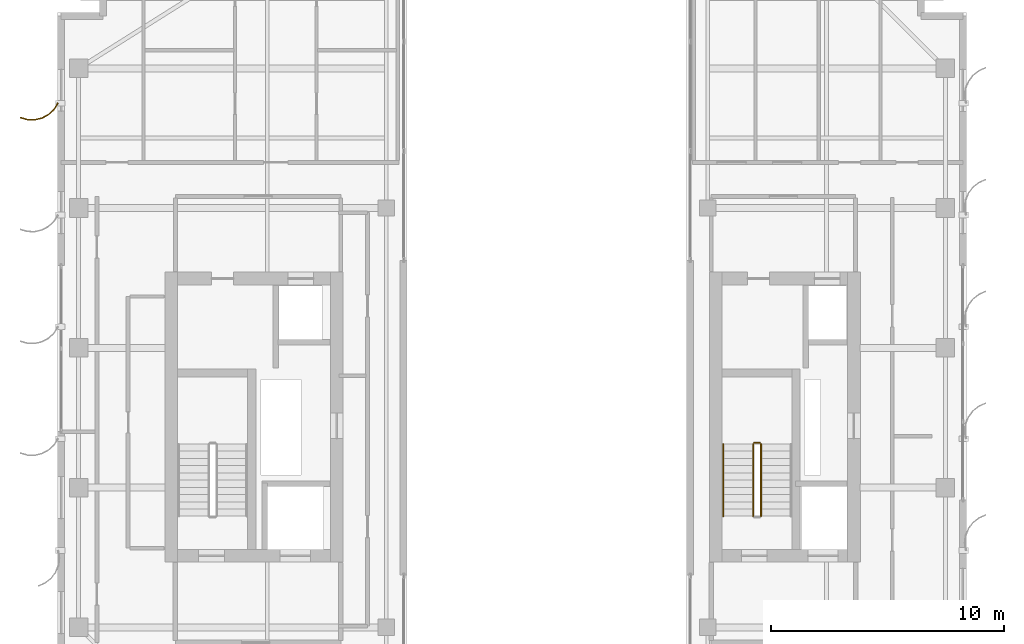
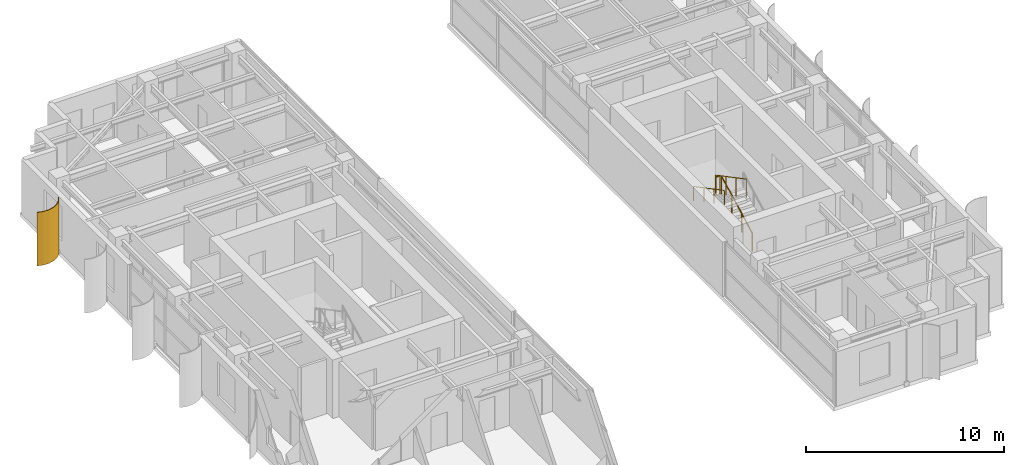
# One storey, part 22 of 23: 4 railings, 1 shading device.
"""IFC4 building model written with IfcOpenShell, lengths in metres."""

from ifc_helpers import new_model, si_unit, direction, frame, origin, origin_2d, place, context, subcontext, project, spatial, polyline, circle, outline, extrude, source, transform, mapped, material, layer, layer_set, type_object, element, save


model = new_model("IFC4")

# Units and contexts
model_context = context("Model", 3, precision=1e-05, world=origin(), true_north=direction((0.0, 1.0)))
body_context = subcontext(model_context, "Body", "Model", "MODEL_VIEW")
ifc_project = project(units=[si_unit("LENGTHUNIT", "METRE"), si_unit("AREAUNIT", "SQUARE_METRE"), si_unit("VOLUMEUNIT", "CUBIC_METRE"), si_unit("PLANEANGLEUNIT", "RADIAN"), si_unit("MASSUNIT", "GRAM", prefix="KILO")], contexts=[model_context])

# Site, building, storey
site_placement = place(None, origin())
site = spatial("IfcSite", under=ifc_project, at=site_placement, CompositionType="ELEMENT")
building_placement = place(site_placement, origin())
building = spatial("IfcBuilding", under=site, at=building_placement, Name="Khoralis Quay Care Tower", CompositionType="ELEMENT")
storey_placement = place(building_placement, frame((0.0, 0.0, 245.699951171875)))
storey = spatial("IfcBuildingStorey", under=building, at=storey_placement, Name="L64", CompositionType="ELEMENT", Elevation=245.699951171875)

# Railings
ifc_material_1 = material(Name="Brushed stainless steel", Category="steel")
railing_type_1 = type_object("IfcRailingType", Name="RL-GUARD-1150", PredefinedType="GUARDRAIL", material=ifc_material_1)
railing_1_placement = place(storey_placement, frame((33.18994140625, 16.77001953125, 0.16357421875)))
element("IfcRailing", 1, at=railing_1_placement, inside=storey, type_object=railing_type_1, Name="L64 ST-T2 stair guard 1", PredefinedType="GUARDRAIL", context=body_context, shape_type="SweptSolid", body=[
    extrude(circle(Radius=0.02392578125, at=origin_2d()), frame((0.0, 0.0, 1.1259765625), z_axis=(0.0, 0.884348015382, 0.466828220752), x_axis=(-1.0, 0.0, 0.0)), (0.0, 0.0, 1.0), 3.505615234375),
    extrude(circle(Radius=0.02099609375, at=origin_2d()), origin(), (0.0, 0.0, 1.0), 1.101806640625),
    extrude(circle(Radius=0.02099609375, at=origin_2d()), frame((0.0, 1.033447265625, 0.54541015625)), (0.0, 0.0, 1.0), 1.101806640625),
    extrude(circle(Radius=0.02099609375, at=origin_2d()), frame((0.0, 2.066650390625, 1.091064453125)), (0.0, 0.0, 1.0), 1.101806640625),
    extrude(circle(Radius=0.02099609375, at=origin_2d()), frame((0.0, 3.10009765625, 1.636474609375)), (0.0, 0.0, 1.0), 1.101806640625),
])
railing_2_placement = place(storey_placement, frame((33.139892578125, 19.919921875, 1.800048828125)))
element("IfcRailing", 2, at=railing_2_placement, inside=storey, type_object=railing_type_1, Name="L64 ST-T2 stair guard 2", PredefinedType="GUARDRAIL", context=body_context, shape_type="SweptSolid", body=[
    extrude(circle(Radius=0.02392578125, at=origin_2d()), frame((0.0, 0.0, 1.1259765625), z_axis=(-1.0, 0.0, 0.0), x_axis=(0.0, -1.0, 0.0)), (0.0, 0.0, 1.0), 0.239990234375),
    extrude(circle(Radius=0.02099609375, at=origin_2d()), origin(), (0.0, 0.0, 1.0), 1.101806640625),
    extrude(circle(Radius=0.02099609375, at=origin_2d()), frame((-0.239990234375, 0.0, 0.0)), (0.0, 0.0, 1.0), 1.101806640625),
])
railing_3_placement = place(storey_placement, frame((32.85009765625, 19.8701171875, 1.963623046875)))
element("IfcRailing", 3, at=railing_3_placement, inside=storey, type_object=railing_type_1, Name="L64 ST-T2 stair guard 3", PredefinedType="GUARDRAIL", context=body_context, shape_type="SweptSolid", body=[
    extrude(circle(Radius=0.02392578125, at=origin_2d()), frame((0.0, 0.0, 1.1259765625), z_axis=(0.0, -0.884348015382, 0.466828220752), x_axis=(1.0, 0.0, 0.0)), (0.0, 0.0, 1.0), 3.505615234375),
    extrude(circle(Radius=0.02099609375, at=origin_2d()), origin(), (0.0, 0.0, 1.0), 1.101806640625),
    extrude(circle(Radius=0.02099609375, at=origin_2d()), frame((0.0, -1.033447265625, 0.54541015625)), (0.0, 0.0, 1.0), 1.101806640625),
    extrude(circle(Radius=0.02099609375, at=origin_2d()), frame((0.0, -2.066650390625, 1.091064453125)), (0.0, 0.0, 1.0), 1.101806640625),
    extrude(circle(Radius=0.02099609375, at=origin_2d()), frame((0.0, -3.10009765625, 1.636474609375)), (0.0, 0.0, 1.0), 1.101806640625),
])
railing_type_2 = type_object("IfcRailingType", Name="RL-HAND-900", PredefinedType="HANDRAIL", material=ifc_material_1)
railing_4_placement = place(storey_placement, frame((31.570068359375, 19.8701171875, 1.963623046875)))
element("IfcRailing", 4, at=railing_4_placement, inside=storey, type_object=railing_type_2, Name="L64 ST-T2 stair handrail 2", PredefinedType="HANDRAIL", context=body_context, shape_type="SweptSolid", body=[
    extrude(circle(Radius=0.02392578125, at=origin_2d()), frame((0.0, 0.0, 0.8759765625), z_axis=(0.0, -0.884348015382, 0.466828220752), x_axis=(1.0, 0.0, 0.0)), (0.0, 0.0, 1.0), 3.505615234375),
    extrude(circle(Radius=0.02099609375, at=origin_2d()), origin(), (0.0, 0.0, 1.0), 0.851806640625),
    extrude(circle(Radius=0.02099609375, at=origin_2d()), frame((0.0, -1.033447265625, 0.54541015625)), (0.0, 0.0, 1.0), 0.851806640625),
    extrude(circle(Radius=0.02099609375, at=origin_2d()), frame((0.0, -2.066650390625, 1.091064453125)), (0.0, 0.0, 1.0), 0.851806640625),
    extrude(circle(Radius=0.02099609375, at=origin_2d()), frame((0.0, -3.10009765625, 1.636474609375)), (0.0, 0.0, 1.0), 0.851806640625),
])

# Shading device
ifc_material_2 = material(Name="Brushed pale anodised aluminium", Category="aluminium")
ifc_layer = layer(ifc_material_2, 0.044921875)
ifc_layer_set = layer_set([ifc_layer], Name="Brushed pale anodised aluminium")
shading_device_type = type_object("IfcShadingDeviceType", Name="SHD-FIN-1250", PredefinedType="USERDEFINED", material=ifc_layer_set)
shared_shape = source(origin(), body_context, "Body", "SweptSolid", [
    extrude(outline(polyline([(0.0, 0.0), (0.17041015625, 0.2783203125), (0.4072265625, 0.5029296875), (0.694091796875, 0.658447265625), (1.01123046875, 0.734619140625), (1.33740234375, 0.72607421875), (1.650390625, 0.633544921875), (1.632080078125, 0.59228515625), (1.330322265625, 0.681640625), (1.015869140625, 0.68994140625), (0.710205078125, 0.616455078125), (0.43359375, 0.466552734375), (0.20556640625, 0.25), (0.041015625, -0.018310546875), (0.0, 0.0)])), origin(), (0.0, 0.0, 1.0), 3.300048828125),
])
shading_device_placement = place(storey_placement, frame((3.030029296875, 34.5, 0.02001953125), z_axis=(0.0, 0.0, 1.0), x_axis=(-1.0, 0.0, 0.0)))
element("IfcShadingDevice", 5, at=shading_device_placement, inside=storey, type_object=shading_device_type, Name="L64 Curved Solar Fin P1E7-01", ObjectType="FIN", PredefinedType="USERDEFINED", context=body_context, shape_type="MappedRepresentation", body=[
    mapped(shared_shape, transform((0.0, 0.0, 0.0), scale=1.0)),
])

save(model, "model.ifc")
